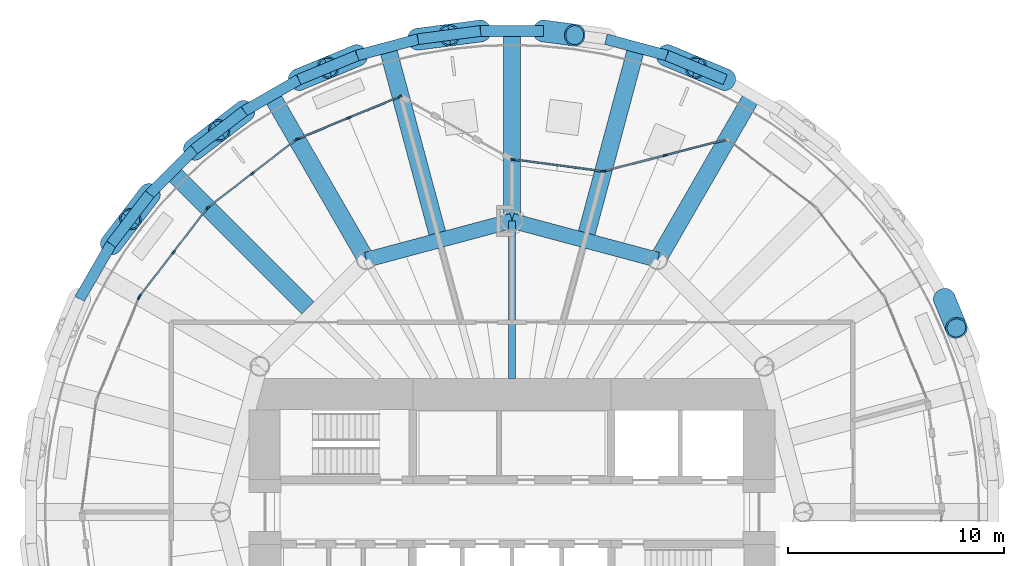
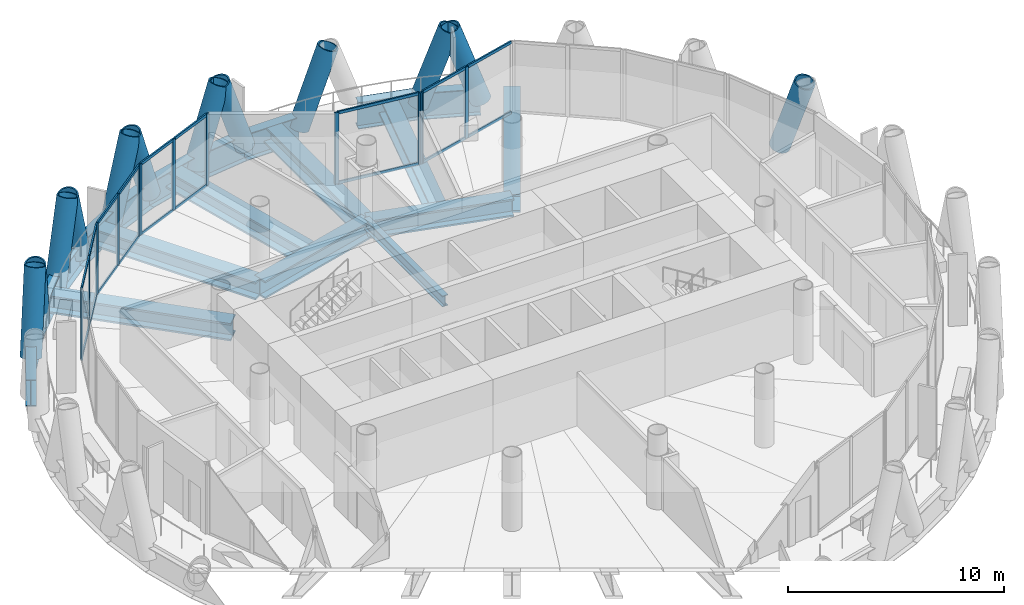
# One storey, part 5 of 14: 44 members, 20 beams, 6 elements without a shape of their own.
"""IFC4 building model written with IfcOpenShell, lengths in metres."""

from ifc_helpers import new_model, si_unit, direction, frame, origin, origin_2d, place, context, subcontext, project, spatial, rectangle, hollow_circle, i_section, extrude, material, material_profile, profile_set, type_object, element, aggregate, save


model = new_model("IFC4")

# Units and contexts
model_context = context("Model", 3, precision=1e-05, world=origin(), true_north=direction((0.0, 1.0)))
body_context = subcontext(model_context, "Body", "Model", "MODEL_VIEW")
ifc_project = project(units=[si_unit("LENGTHUNIT", "METRE"), si_unit("AREAUNIT", "SQUARE_METRE"), si_unit("VOLUMEUNIT", "CUBIC_METRE"), si_unit("PLANEANGLEUNIT", "RADIAN"), si_unit("MASSUNIT", "GRAM", prefix="KILO")], contexts=[model_context])

# Site, building, storey
site_placement = place(None, origin())
site = spatial("IfcSite", under=ifc_project, at=site_placement, CompositionType="ELEMENT")
building_placement = place(site_placement, origin())
building = spatial("IfcBuilding", under=site, at=building_placement, Name="Qaws Media Tower", CompositionType="ELEMENT")
storey_placement = place(building_placement, frame((0.0, 0.0, 248.60009765625)))
storey = spatial("IfcBuildingStorey", under=building, at=storey_placement, Name="L57", CompositionType="ELEMENT", Elevation=248.60009765625)

# Curtain wall, members
ifc_material_1 = material(Name="Aluminium and clear glass", Category="aluminium")
curtain_wall_type_1 = type_object("IfcCurtainWallType", Name="Loggia curtain wall CW-G", PredefinedType="NOTDEFINED", material=ifc_material_1)
curtain_wall_1_placement = place(storey_placement, origin())
curtain_wall_1 = element("IfcCurtainWall", 1, at=curtain_wall_1_placement, inside=storey, type_object=curtain_wall_type_1, Name="CWG curtain wall L57-05", PredefinedType="NOTDEFINED")
ifc_material_2 = material(Name="Aluminium mullion", Category="aluminium")
ifc_material_profile_1 = material_profile(ifc_material_2, rectangle(XDim=0.080078125, YDim=0.199951171875, at=origin_2d()), Name="80x200")
ifc_profile_set_1 = profile_set([ifc_material_profile_1], Name="Aluminium mullion")
member_type_1 = type_object("IfcMemberType", Name="Curtain wall mullion 80x200", PredefinedType="MULLION", material=ifc_profile_set_1)
member_1_placement = place(storey_placement, frame((67.103271484375, 66.53515625, 0.0), z_axis=(0.0, 0.0, 1.0), x_axis=(0.25022188147, -0.968188519883, 0.0)))
member_1 = element("IfcMember", 2, at=member_1_placement, type_object=member_type_1, Name="CWG mullion 2", PredefinedType="MULLION", context=body_context, shape_type="SweptSolid", body=[
    extrude(rectangle(XDim=0.080078125, YDim=0.199951171875, at=origin_2d()), origin(), (0.0, 0.0, 1.0), 4.039794921875),
])
member_2_placement = place(storey_placement, frame((64.2705078125, 65.802978515625, 0.0), z_axis=(0.0, 0.0, 1.0), x_axis=(0.25022188147, -0.968188519883, 0.0)))
member_2 = element("IfcMember", 3, at=member_2_placement, type_object=member_type_1, Name="CWG mullion 3", PredefinedType="MULLION", context=body_context, shape_type="SweptSolid", body=[
    extrude(rectangle(XDim=0.080078125, YDim=0.199951171875, at=origin_2d()), origin(), (0.0, 0.0, 1.0), 4.039794921875),
])

curtain_wall_2_placement = place(storey_placement, origin())
curtain_wall_2 = element("IfcCurtainWall", 4, at=curtain_wall_2_placement, inside=storey, type_object=curtain_wall_type_1, Name="CWG curtain wall L57-06", PredefinedType="NOTDEFINED")
member_3_placement = place(storey_placement, frame((64.192138671875, 65.798095703125, 0.0), z_axis=(0.0, 0.0, 1.0), x_axis=(-0.130526263807, -0.991444851949, 0.0)))
member_3 = element("IfcMember", 5, at=member_3_placement, type_object=member_type_1, Name="CWG mullion 1", PredefinedType="MULLION", context=body_context, shape_type="SweptSolid", body=[
    extrude(rectangle(XDim=0.080078125, YDim=0.199951171875, at=origin_2d()), origin(), (0.0, 0.0, 1.0), 4.039794921875),
])
member_4_placement = place(storey_placement, frame((60.03955078125, 66.3447265625, 0.0), z_axis=(0.0, 0.0, 1.0), x_axis=(-0.130526263807, -0.991444851949, 0.0)))
member_4 = element("IfcMember", 6, at=member_4_placement, type_object=member_type_1, Name="CWG mullion 2", PredefinedType="MULLION", context=body_context, shape_type="SweptSolid", body=[
    extrude(rectangle(XDim=0.080078125, YDim=0.199951171875, at=origin_2d()), origin(), (0.0, 0.0, 1.0), 4.039794921875),
])

ifc_material_3 = material(Name="Aluminium and clear glass", Category="aluminium")
curtain_wall_type_2 = type_object("IfcCurtainWallType", Name="Unitised curtain wall CW-C", PredefinedType="NOTDEFINED", material=ifc_material_3)
curtain_wall_3_placement = place(storey_placement, origin())
curtain_wall_3 = element("IfcCurtainWall", 7, at=curtain_wall_3_placement, inside=storey, type_object=curtain_wall_type_2, Name="CWC curtain wall L57-08", PredefinedType="NOTDEFINED")
member_5_placement = place(storey_placement, frame((54.799560546875, 69.2548828125, 0.0), z_axis=(0.0, 0.0, 1.0), x_axis=(0.382683365464, -0.923879560223, 0.0)))
member_5 = element("IfcMember", 8, at=member_5_placement, type_object=member_type_1, Name="CWC mullion 1", PredefinedType="MULLION", context=body_context, shape_type="SweptSolid", body=[
    extrude(rectangle(XDim=0.080078125, YDim=0.199951171875, at=origin_2d()), origin(), (0.0, 0.0, 1.0), 4.039794921875),
])
member_6_placement = place(storey_placement, frame((52.4306640625, 68.273681640625, 0.0), z_axis=(0.0, 0.0, 1.0), x_axis=(0.382683365464, -0.923879560223, 0.0)))
member_6 = element("IfcMember", 9, at=member_6_placement, type_object=member_type_1, Name="CWC mullion 2", PredefinedType="MULLION", context=body_context, shape_type="SweptSolid", body=[
    extrude(rectangle(XDim=0.080078125, YDim=0.199951171875, at=origin_2d()), origin(), (0.0, 0.0, 1.0), 4.039794921875),
])
member_7_placement = place(storey_placement, frame((50.06201171875, 67.29248046875, 0.0), z_axis=(0.0, 0.0, 1.0), x_axis=(0.382683365464, -0.923879560223, 0.0)))
member_7 = element("IfcMember", 10, at=member_7_placement, type_object=member_type_1, Name="CWC mullion 3", PredefinedType="MULLION", context=body_context, shape_type="SweptSolid", body=[
    extrude(rectangle(XDim=0.080078125, YDim=0.199951171875, at=origin_2d()), origin(), (0.0, 0.0, 1.0), 4.039794921875),
])

curtain_wall_4_placement = place(storey_placement, origin())
curtain_wall_4 = element("IfcCurtainWall", 11, at=curtain_wall_4_placement, inside=storey, type_object=curtain_wall_type_2, Name="CWC curtain wall L57-09", PredefinedType="NOTDEFINED")
member_8_placement = place(storey_placement, frame((49.9931640625, 67.2529296875, 0.0), z_axis=(0.0, 0.0, 1.0), x_axis=(0.608761513321, -0.793353275596, 0.0)))
member_8 = element("IfcMember", 12, at=member_8_placement, type_object=member_type_1, Name="CWC mullion 1", PredefinedType="MULLION", context=body_context, shape_type="SweptSolid", body=[
    extrude(rectangle(XDim=0.080078125, YDim=0.199951171875, at=origin_2d()), origin(), (0.0, 0.0, 1.0), 4.039794921875),
])
member_9_placement = place(storey_placement, frame((47.959228515625, 65.69189453125, 0.0), z_axis=(0.0, 0.0, 1.0), x_axis=(0.608761513321, -0.793353275596, 0.0)))
member_9 = element("IfcMember", 13, at=member_9_placement, type_object=member_type_1, Name="CWC mullion 2", PredefinedType="MULLION", context=body_context, shape_type="SweptSolid", body=[
    extrude(rectangle(XDim=0.080078125, YDim=0.199951171875, at=origin_2d()), origin(), (0.0, 0.0, 1.0), 4.039794921875),
])
member_10_placement = place(storey_placement, frame((45.925048828125, 64.131103515625, 0.0), z_axis=(0.0, 0.0, 1.0), x_axis=(0.608761513321, -0.793353275596, 0.0)))
member_10 = element("IfcMember", 14, at=member_10_placement, type_object=member_type_1, Name="CWC mullion 3", PredefinedType="MULLION", context=body_context, shape_type="SweptSolid", body=[
    extrude(rectangle(XDim=0.080078125, YDim=0.199951171875, at=origin_2d()), origin(), (0.0, 0.0, 1.0), 4.039794921875),
])

curtain_wall_5_placement = place(storey_placement, origin())
curtain_wall_5 = element("IfcCurtainWall", 15, at=curtain_wall_5_placement, inside=storey, type_object=curtain_wall_type_2, Name="CWC curtain wall L57-10", PredefinedType="NOTDEFINED")
member_11_placement = place(storey_placement, frame((45.868896484375, 64.074951171875, 0.0), z_axis=(0.0, 0.0, 1.0), x_axis=(0.793353275596, -0.608761513321, 0.0)))
member_11 = element("IfcMember", 16, at=member_11_placement, type_object=member_type_1, Name="CWC mullion 1", PredefinedType="MULLION", context=body_context, shape_type="SweptSolid", body=[
    extrude(rectangle(XDim=0.080078125, YDim=0.199951171875, at=origin_2d()), origin(), (0.0, 0.0, 1.0), 4.039794921875),
])
member_12_placement = place(storey_placement, frame((44.30810546875, 62.040771484375, 0.0), z_axis=(0.0, 0.0, 1.0), x_axis=(0.793353275596, -0.608761513321, 0.0)))
member_12 = element("IfcMember", 17, at=member_12_placement, type_object=member_type_1, Name="CWC mullion 2", PredefinedType="MULLION", context=body_context, shape_type="SweptSolid", body=[
    extrude(rectangle(XDim=0.080078125, YDim=0.199951171875, at=origin_2d()), origin(), (0.0, 0.0, 1.0), 4.039794921875),
])
member_13_placement = place(storey_placement, frame((42.7470703125, 60.0068359375, 0.0), z_axis=(0.0, 0.0, 1.0), x_axis=(0.793353275596, -0.608761513321, 0.0)))
member_13 = element("IfcMember", 18, at=member_13_placement, type_object=member_type_1, Name="CWC mullion 3", PredefinedType="MULLION", context=body_context, shape_type="SweptSolid", body=[
    extrude(rectangle(XDim=0.080078125, YDim=0.199951171875, at=origin_2d()), origin(), (0.0, 0.0, 1.0), 4.039794921875),
])

# Curtain wall, member
curtain_wall_6_placement = place(storey_placement, origin())
curtain_wall_6 = element("IfcCurtainWall", 19, at=curtain_wall_6_placement, inside=storey, type_object=curtain_wall_type_2, Name="CWC curtain wall L57-11", PredefinedType="NOTDEFINED")
member_14_placement = place(storey_placement, frame((42.70751953125, 59.93798828125, 0.0), z_axis=(0.0, 0.0, 1.0), x_axis=(0.923879560223, -0.382683365464, 0.0)))
member_14 = element("IfcMember", 20, at=member_14_placement, type_object=member_type_1, Name="CWC mullion 1", PredefinedType="MULLION", context=body_context, shape_type="SweptSolid", body=[
    extrude(rectangle(XDim=0.080078125, YDim=0.199951171875, at=origin_2d()), origin(), (0.0, 0.0, 1.0), 4.039794921875),
])
aggregate(curtain_wall_6, [member_14])

# Member
ifc_material_4 = material(Name="Aluminium transom", Category="aluminium")
ifc_material_profile_2 = material_profile(ifc_material_4, rectangle(XDim=0.080078125, YDim=0.159912109375, at=origin_2d()), Name="80x160")
ifc_profile_set_2 = profile_set([ifc_material_profile_2], Name="Aluminium transom")
member_type_2 = type_object("IfcMemberType", Name="Curtain wall transom 80x160", PredefinedType="USERDEFINED", material=ifc_profile_set_2)
member_15_placement = place(storey_placement, frame((69.8974609375, 67.257080078125, 0.039794921875), z_axis=(-0.968204970037, -0.250158221923, 0.0), x_axis=(0.250158221923, -0.968204970037, 0.0)))
member_15 = element("IfcMember", 21, at=member_15_placement, type_object=member_type_2, Name="CWG transom 1.1", ObjectType="TRANSOM", PredefinedType="USERDEFINED", context=body_context, shape_type="SweptSolid", body=[
    extrude(rectangle(XDim=0.080078125, YDim=0.159912109375, at=origin_2d()), origin(), (0.0, 0.0, 1.0), 2.845947265625),
])

member_16_placement = place(storey_placement, frame((69.8974609375, 67.257080078125, 4.0), z_axis=(-0.968204970037, -0.250158221923, 0.0), x_axis=(0.250158221923, -0.968204970037, 0.0)))
member_16 = element("IfcMember", 22, at=member_16_placement, type_object=member_type_2, Name="CWG transom 1.2", ObjectType="TRANSOM", PredefinedType="USERDEFINED", context=body_context, shape_type="SweptSolid", body=[
    extrude(rectangle(XDim=0.080078125, YDim=0.159912109375, at=origin_2d()), origin(), (0.0, 0.0, 1.0), 2.845947265625),
])

member_17_placement = place(storey_placement, frame((67.064697265625, 66.525146484375, 0.039794921875), z_axis=(-0.96818956009, -0.250217856541, 0.0), x_axis=(0.250217856541, -0.96818956009, 0.0)))
member_17 = element("IfcMember", 23, at=member_17_placement, type_object=member_type_2, Name="CWG transom 2.1", ObjectType="TRANSOM", PredefinedType="USERDEFINED", context=body_context, shape_type="SweptSolid", body=[
    extrude(rectangle(XDim=0.080078125, YDim=0.159912109375, at=origin_2d()), origin(), (0.0, 0.0, 1.0), 2.84619140625),
])

member_18_placement = place(storey_placement, frame((67.064697265625, 66.525146484375, 4.0), z_axis=(-0.96818956009, -0.250217856541, 0.0), x_axis=(0.250217856541, -0.96818956009, 0.0)))
member_18 = element("IfcMember", 24, at=member_18_placement, type_object=member_type_2, Name="CWG transom 2.2", ObjectType="TRANSOM", PredefinedType="USERDEFINED", context=body_context, shape_type="SweptSolid", body=[
    extrude(rectangle(XDim=0.080078125, YDim=0.159912109375, at=origin_2d()), origin(), (0.0, 0.0, 1.0), 2.84619140625),
])

aggregate(curtain_wall_1, [member_1, member_2, member_15, member_16, member_17, member_18])

member_19_placement = place(storey_placement, frame((64.15234375, 65.80322265625, 0.039794921875), z_axis=(-0.991439928067, 0.130563658932, 0.0), x_axis=(-0.130563658932, -0.991439928067, 0.0)))
member_19 = element("IfcMember", 25, at=member_19_placement, type_object=member_type_2, Name="CWG transom 1.1", ObjectType="TRANSOM", PredefinedType="USERDEFINED", context=body_context, shape_type="SweptSolid", body=[
    extrude(rectangle(XDim=0.080078125, YDim=0.159912109375, at=origin_2d()), origin(), (0.0, 0.0, 1.0), 4.108154296875),
])

member_20_placement = place(storey_placement, frame((64.15234375, 65.80322265625, 4.0), z_axis=(-0.991439928067, 0.130563658932, 0.0), x_axis=(-0.130563658932, -0.991439928067, 0.0)))
member_20 = element("IfcMember", 26, at=member_20_placement, type_object=member_type_2, Name="CWG transom 1.2", ObjectType="TRANSOM", PredefinedType="USERDEFINED", context=body_context, shape_type="SweptSolid", body=[
    extrude(rectangle(XDim=0.080078125, YDim=0.159912109375, at=origin_2d()), origin(), (0.0, 0.0, 1.0), 4.108154296875),
])

aggregate(curtain_wall_2, [member_3, member_4, member_19, member_20])

member_21_placement = place(storey_placement, frame((54.7626953125, 69.239501953125, 0.039794921875), z_axis=(-0.923900641139, -0.382632467655, 0.0), x_axis=(0.382632467655, -0.923900641139, 0.0)))
member_21 = element("IfcMember", 27, at=member_21_placement, type_object=member_type_2, Name="CWC transom 1.1", ObjectType="TRANSOM", PredefinedType="USERDEFINED", context=body_context, shape_type="SweptSolid", body=[
    extrude(rectangle(XDim=0.080078125, YDim=0.159912109375, at=origin_2d()), origin(), (0.0, 0.0, 1.0), 2.48388671875),
])

member_22_placement = place(storey_placement, frame((54.7626953125, 69.239501953125, 4.0), z_axis=(-0.923900641139, -0.382632467655, 0.0), x_axis=(0.382632467655, -0.923900641139, 0.0)))
member_22 = element("IfcMember", 28, at=member_22_placement, type_object=member_type_2, Name="CWC transom 1.2", ObjectType="TRANSOM", PredefinedType="USERDEFINED", context=body_context, shape_type="SweptSolid", body=[
    extrude(rectangle(XDim=0.080078125, YDim=0.159912109375, at=origin_2d()), origin(), (0.0, 0.0, 1.0), 2.48388671875),
])

member_23_placement = place(storey_placement, frame((52.393798828125, 68.25830078125, 0.039794921875), z_axis=(-0.923900641139, -0.382632467655, 0.0), x_axis=(0.382632467655, -0.923900641139, 0.0)))
member_23 = element("IfcMember", 29, at=member_23_placement, type_object=member_type_2, Name="CWC transom 2.1", ObjectType="TRANSOM", PredefinedType="USERDEFINED", context=body_context, shape_type="SweptSolid", body=[
    extrude(rectangle(XDim=0.080078125, YDim=0.159912109375, at=origin_2d()), origin(), (0.0, 0.0, 1.0), 2.48388671875),
])

member_24_placement = place(storey_placement, frame((52.393798828125, 68.25830078125, 4.0), z_axis=(-0.923900641139, -0.382632467655, 0.0), x_axis=(0.382632467655, -0.923900641139, 0.0)))
member_24 = element("IfcMember", 30, at=member_24_placement, type_object=member_type_2, Name="CWC transom 2.2", ObjectType="TRANSOM", PredefinedType="USERDEFINED", context=body_context, shape_type="SweptSolid", body=[
    extrude(rectangle(XDim=0.080078125, YDim=0.159912109375, at=origin_2d()), origin(), (0.0, 0.0, 1.0), 2.48388671875),
])

aggregate(curtain_wall_3, [member_5, member_6, member_7, member_21, member_22, member_23, member_24])

member_25_placement = place(storey_placement, frame((49.96142578125, 67.228515625, 0.039794921875), z_axis=(-0.793346858424, -0.608769876249, 0.0), x_axis=(0.608769876249, -0.793346858424, 0.0)))
member_25 = element("IfcMember", 31, at=member_25_placement, type_object=member_type_2, Name="CWC transom 1.1", ObjectType="TRANSOM", PredefinedType="USERDEFINED", context=body_context, shape_type="SweptSolid", body=[
    extrude(rectangle(XDim=0.080078125, YDim=0.159912109375, at=origin_2d()), origin(), (0.0, 0.0, 1.0), 2.484130859375),
])

member_26_placement = place(storey_placement, frame((49.96142578125, 67.228515625, 4.0), z_axis=(-0.793346858424, -0.608769876249, 0.0), x_axis=(0.608769876249, -0.793346858424, 0.0)))
member_26 = element("IfcMember", 32, at=member_26_placement, type_object=member_type_2, Name="CWC transom 1.2", ObjectType="TRANSOM", PredefinedType="USERDEFINED", context=body_context, shape_type="SweptSolid", body=[
    extrude(rectangle(XDim=0.080078125, YDim=0.159912109375, at=origin_2d()), origin(), (0.0, 0.0, 1.0), 2.484130859375),
])

member_27_placement = place(storey_placement, frame((47.927490234375, 65.667724609375, 0.039794921875), z_axis=(-0.793346858424, -0.608769876249, 0.0), x_axis=(0.608769876249, -0.793346858424, 0.0)))
member_27 = element("IfcMember", 33, at=member_27_placement, type_object=member_type_2, Name="CWC transom 2.1", ObjectType="TRANSOM", PredefinedType="USERDEFINED", context=body_context, shape_type="SweptSolid", body=[
    extrude(rectangle(XDim=0.080078125, YDim=0.159912109375, at=origin_2d()), origin(), (0.0, 0.0, 1.0), 2.484130859375),
])

member_28_placement = place(storey_placement, frame((47.927490234375, 65.667724609375, 4.0), z_axis=(-0.793346858424, -0.608769876249, 0.0), x_axis=(0.608769876249, -0.793346858424, 0.0)))
member_28 = element("IfcMember", 34, at=member_28_placement, type_object=member_type_2, Name="CWC transom 2.2", ObjectType="TRANSOM", PredefinedType="USERDEFINED", context=body_context, shape_type="SweptSolid", body=[
    extrude(rectangle(XDim=0.080078125, YDim=0.159912109375, at=origin_2d()), origin(), (0.0, 0.0, 1.0), 2.484130859375),
])

aggregate(curtain_wall_4, [member_8, member_9, member_10, member_25, member_26, member_27, member_28])

member_29_placement = place(storey_placement, frame((45.844482421875, 64.043212890625, 0.039794921875), z_axis=(-0.608769876249, -0.793346858424, 0.0), x_axis=(0.793346858424, -0.608769876249, 0.0)))
member_29 = element("IfcMember", 35, at=member_29_placement, type_object=member_type_2, Name="CWC transom 1.1", ObjectType="TRANSOM", PredefinedType="USERDEFINED", context=body_context, shape_type="SweptSolid", body=[
    extrude(rectangle(XDim=0.080078125, YDim=0.159912109375, at=origin_2d()), origin(), (0.0, 0.0, 1.0), 2.484130859375),
])

member_30_placement = place(storey_placement, frame((45.844482421875, 64.043212890625, 4.0), z_axis=(-0.608769876249, -0.793346858424, 0.0), x_axis=(0.793346858424, -0.608769876249, 0.0)))
member_30 = element("IfcMember", 36, at=member_30_placement, type_object=member_type_2, Name="CWC transom 1.2", ObjectType="TRANSOM", PredefinedType="USERDEFINED", context=body_context, shape_type="SweptSolid", body=[
    extrude(rectangle(XDim=0.080078125, YDim=0.159912109375, at=origin_2d()), origin(), (0.0, 0.0, 1.0), 2.484130859375),
])

member_31_placement = place(storey_placement, frame((44.28369140625, 62.00927734375, 0.039794921875), z_axis=(-0.608769876249, -0.793346858424, 0.0), x_axis=(0.793346858424, -0.608769876249, 0.0)))
member_31 = element("IfcMember", 37, at=member_31_placement, type_object=member_type_2, Name="CWC transom 2.1", ObjectType="TRANSOM", PredefinedType="USERDEFINED", context=body_context, shape_type="SweptSolid", body=[
    extrude(rectangle(XDim=0.080078125, YDim=0.159912109375, at=origin_2d()), origin(), (0.0, 0.0, 1.0), 2.484130859375),
])

member_32_placement = place(storey_placement, frame((44.28369140625, 62.00927734375, 4.0), z_axis=(-0.608769876249, -0.793346858424, 0.0), x_axis=(0.793346858424, -0.608769876249, 0.0)))
member_32 = element("IfcMember", 38, at=member_32_placement, type_object=member_type_2, Name="CWC transom 2.2", ObjectType="TRANSOM", PredefinedType="USERDEFINED", context=body_context, shape_type="SweptSolid", body=[
    extrude(rectangle(XDim=0.080078125, YDim=0.159912109375, at=origin_2d()), origin(), (0.0, 0.0, 1.0), 2.484130859375),
])

aggregate(curtain_wall_5, [member_11, member_12, member_13, member_29, member_30, member_31, member_32])

# Members
ifc_material_5 = material(Name="Steel S460", Category="steel")
ifc_material_profile_3 = material_profile(ifc_material_5, hollow_circle(Radius=0.508056640625, WallThickness=0.070068359375, at=origin_2d()), Name="CHS 1016x70")
ifc_profile_set_3 = profile_set([ifc_material_profile_3], Name="Steel S460")
member_type_3 = type_object("IfcMemberType", Name="Diagrid member CHS 1016x70", PredefinedType="USERDEFINED", material=ifc_profile_set_3)
for number, where, z_axis, x_axis, name in (
    (39, (80.045166015625, 59.88525390625, -0.91015625), (0.125335260643, -0.303868010364, 0.944433854072), (0.924449640149, 0.381304160517, 0.0), "DG3 diagrid L57 B03"),
    (40, (69.88525390625, 70.045166015625, -0.91015625), (-0.303868010364, 0.125335260643, 0.944433854072), (-0.381304160517, -0.924449640149, 0.0), "DG3 diagrid L57 A05"),
    (41, (67.18408203125, 71.163818359375, -0.91015625), (0.303535445165, -0.126212332869, 0.944423994062), (0.383939364973, 0.923358307497, 0.0), "DG3 diagrid L57 B06"),
    (42, (58.538330078125, 72.30224609375, -0.91015625), (-0.325826976487, -0.043425297119, 0.944431588292), (0.13210902059, -0.991235192413, 0.0), "DG3 diagrid L57 A07"),
    (43, (61.461669921875, 72.30224609375, -0.91015625), (0.325826976487, -0.043425297119, 0.944431588292), (0.13210902059, 0.991235192413, 0.0), "DG3 diagrid L57 B07"),
    (44, (52.81591796875, 71.163818359375, -0.91015625), (-0.303535445165, -0.126212332869, 0.944423994062), (0.383939364973, -0.923358307497, 0.0), "DG3 diagrid L57 A08"),
    (45, (55.6396484375, 71.920654296875, -0.91015625), (0.325988765013, 0.042381833377, 0.944423160074), (-0.128925083807, 0.991654336332, 0.0), "DG3 diagrid L57 B08"),
    (46, (47.5830078125, 68.583251953125, -0.91015625), (-0.2604988777, -0.200438651735, 0.944438818351), (0.609815690704, -0.792543262775, 0.0), "DG3 diagrid L57 A09"),
    (47, (50.11474609375, 70.045166015625, -0.91015625), (0.303868010364, 0.125335260643, 0.944433854072), (-0.381304160517, 0.924449640149, 0.0), "DG3 diagrid L57 B09"),
    (48, (43.1962890625, 64.736328125, -0.91015625), (-0.199724883041, -0.261047778686, 0.9444384725), (0.794210841026, -0.607642279632, 0.0), "DG3 diagrid L57 A10"),
    (49, (45.263671875, 66.8037109375, -0.91015625), (0.261047778686, 0.199724883041, 0.9444384725), (-0.607642279632, 0.794210841026, 0.0), "DG3 diagrid L57 B10"),
    (50, (41.416748046875, 62.4169921875, -0.91015625), (0.200438651735, 0.2604988777, 0.944438818351), (-0.792543262775, 0.609815690704, 0.0), "DG3 diagrid L57 B11"),
):
    element("IfcMember", number, at=place(storey_placement, frame(where, z_axis=z_axis, x_axis=x_axis)), inside=storey, type_object=member_type_3, Name=name, ObjectType="DIAGRID", PredefinedType="USERDEFINED", context=body_context, shape_type="SweptSolid", body=[
        extrude(hollow_circle(Radius=0.508056640625, WallThickness=0.070068359375, at=origin_2d()), origin(), (0.0, 0.0, 1.0), 4.447021484375),
    ])

# Beams
ifc_material_6 = material(Name="Steel S460", Category="steel")
ifc_material_profile_4 = material_profile(ifc_material_6, i_section(OverallWidth=0.5, OverallDepth=1.5, WebThickness=0.02001953125, FlangeThickness=0.0400390625, at=origin_2d()), Name="PG 1500x500")
ifc_profile_set_4 = profile_set([ifc_material_profile_4], Name="Steel S460")
beam_type_1 = type_object("IfcBeamType", Name="Edge ring beam PG 1500x500", PredefinedType="BEAM", material=ifc_profile_set_4)
beam_1_placement = place(storey_placement, frame((69.88525390625, 70.045166015625, -0.91015625), z_axis=(-0.923904886994, 0.382622215492, 0.0), x_axis=(-0.382622215492, -0.923904886994, 0.0)))
element("IfcBeam", 51, at=beam_1_placement, inside=storey, type_object=beam_type_1, Name="RB4 edge ring beam L57-09", PredefinedType="BEAM", context=body_context, shape_type="SweptSolid", body=[
    extrude(i_section(OverallWidth=0.5, OverallDepth=1.5, WebThickness=0.02001953125, FlangeThickness=0.0400390625, at=origin_2d()), origin(), (0.0, 0.0, 1.0), 2.923583984375),
])
for number, where, z_axis, x_axis, name in (
    (52, (67.18408203125, 71.163818359375, -0.91015625), (-0.965907040913, 0.258889142904, 0.0), (-0.258889142904, -0.965907040913, 0.0), "RB4 edge ring beam L57-10"),
    (53, (61.461669921875, 72.30224609375, -0.91015625), (-1.0, 0.0, 0.0), (0.0, -1.0, 0.0), "RB4 edge ring beam L57-12"),
):
    element("IfcBeam", number, at=place(storey_placement, frame(where, z_axis=z_axis, x_axis=x_axis)), inside=storey, type_object=beam_type_1, Name=name, PredefinedType="BEAM", context=body_context, shape_type="SweptSolid", body=[
        extrude(i_section(OverallWidth=0.5, OverallDepth=1.5, WebThickness=0.02001953125, FlangeThickness=0.0400390625, at=origin_2d()), origin(), (0.0, 0.0, 1.0), 2.92333984375),
    ])
beam_2_placement = place(storey_placement, frame((58.538330078125, 72.30224609375, -0.91015625), z_axis=(-0.991446051142, -0.130517154715, 0.0), x_axis=(0.130517154715, -0.991446051142, 0.0)))
element("IfcBeam", 54, at=beam_2_placement, inside=storey, type_object=beam_type_1, Name="RB4 edge ring beam L57-13", PredefinedType="BEAM", context=body_context, shape_type="SweptSolid", body=[
    extrude(i_section(OverallWidth=0.5, OverallDepth=1.5, WebThickness=0.02001953125, FlangeThickness=0.0400390625, at=origin_2d()), origin(), (0.0, 0.0, 1.0), 2.923583984375),
])
beam_3_placement = place(storey_placement, frame((55.6396484375, 71.920654296875, -0.91015625), z_axis=(-0.965907040913, -0.258889142904, 0.0), x_axis=(0.258889142904, -0.965907040913, 0.0)))
element("IfcBeam", 55, at=beam_3_placement, inside=storey, type_object=beam_type_1, Name="RB4 edge ring beam L57-14", PredefinedType="BEAM", context=body_context, shape_type="SweptSolid", body=[
    extrude(i_section(OverallWidth=0.5, OverallDepth=1.5, WebThickness=0.02001953125, FlangeThickness=0.0400390625, at=origin_2d()), origin(), (0.0, 0.0, 1.0), 2.92333984375),
])
for number, where, z_axis, x_axis, name in (
    (56, (52.81591796875, 71.163818359375, -0.91015625), (-0.923904886994, -0.382622215492, 0.0), (0.382622215492, -0.923904886994, 0.0), "RB4 edge ring beam L57-15"),
    (57, (50.11474609375, 70.045166015625, -0.91015625), (-0.865993663503, -0.500054971751, 0.0), (0.500054971751, -0.865993663503, 0.0), "RB4 edge ring beam L57-16"),
):
    element("IfcBeam", number, at=place(storey_placement, frame(where, z_axis=z_axis, x_axis=x_axis)), inside=storey, type_object=beam_type_1, Name=name, PredefinedType="BEAM", context=body_context, shape_type="SweptSolid", body=[
        extrude(i_section(OverallWidth=0.5, OverallDepth=1.5, WebThickness=0.02001953125, FlangeThickness=0.0400390625, at=origin_2d()), origin(), (0.0, 0.0, 1.0), 2.923583984375),
    ])
beam_4_placement = place(storey_placement, frame((47.5830078125, 68.583251953125, -0.91015625), z_axis=(-0.793377797555, -0.608729554356, 0.0), x_axis=(0.608729554356, -0.793377797555, 0.0)))
element("IfcBeam", 58, at=beam_4_placement, inside=storey, type_object=beam_type_1, Name="RB4 edge ring beam L57-17", PredefinedType="BEAM", context=body_context, shape_type="SweptSolid", body=[
    extrude(i_section(OverallWidth=0.5, OverallDepth=1.5, WebThickness=0.02001953125, FlangeThickness=0.0400390625, at=origin_2d()), origin(), (0.0, 0.0, 1.0), 2.92333984375),
])
beam_5_placement = place(storey_placement, frame((45.263671875, 66.8037109375, -0.91015625), z_axis=(-0.707106781187, -0.707106781187, 0.0), x_axis=(0.707106781187, -0.707106781187, 0.0)))
element("IfcBeam", 59, at=beam_5_placement, inside=storey, type_object=beam_type_1, Name="RB4 edge ring beam L57-18", PredefinedType="BEAM", context=body_context, shape_type="SweptSolid", body=[
    extrude(i_section(OverallWidth=0.5, OverallDepth=1.5, WebThickness=0.02001953125, FlangeThickness=0.0400390625, at=origin_2d()), origin(), (0.0, 0.0, 1.0), 2.923828125),
])
beam_6_placement = place(storey_placement, frame((43.1962890625, 64.736328125, -0.91015625), z_axis=(-0.608729554356, -0.793377797555, 0.0), x_axis=(0.793377797555, -0.608729554356, 0.0)))
element("IfcBeam", 60, at=beam_6_placement, inside=storey, type_object=beam_type_1, Name="RB4 edge ring beam L57-19", PredefinedType="BEAM", context=body_context, shape_type="SweptSolid", body=[
    extrude(i_section(OverallWidth=0.5, OverallDepth=1.5, WebThickness=0.02001953125, FlangeThickness=0.0400390625, at=origin_2d()), origin(), (0.0, 0.0, 1.0), 2.92333984375),
])
beam_7_placement = place(storey_placement, frame((41.416748046875, 62.4169921875, -0.91015625), z_axis=(-0.500054971751, -0.865993663503, 0.0), x_axis=(0.865993663503, -0.500054971751, 0.0)))
element("IfcBeam", 61, at=beam_7_placement, inside=storey, type_object=beam_type_1, Name="RB4 edge ring beam L57-20", PredefinedType="BEAM", context=body_context, shape_type="SweptSolid", body=[
    extrude(i_section(OverallWidth=0.5, OverallDepth=1.5, WebThickness=0.02001953125, FlangeThickness=0.0400390625, at=origin_2d()), origin(), (0.0, 0.0, 1.0), 2.923583984375),
])
ifc_material_7 = material(Name="Steel S460", Category="steel")
ifc_material_profile_5 = material_profile(ifc_material_7, i_section(OverallWidth=0.699951171875, OverallDepth=1.0, WebThickness=0.034912109375, FlangeThickness=0.090087890625, at=origin_2d()), Name="PG 1000x700")
ifc_profile_set_5 = profile_set([ifc_material_profile_5], Name="Steel S460")
beam_type_2 = type_object("IfcBeamType", Name="Inner ring girder PG 1000x700", PredefinedType="BEAM", material=ifc_profile_set_5)
for number, where, z_axis, x_axis, name in (
    (62, (66.75, 61.69140625, -0.66015625), (-0.965928090778, 0.258810593767, 0.0), (-0.258810593767, -0.965928090778, 0.0), "B3 inner ring beam L57 I03-I04"),
    (63, (60.0, 63.5, -0.66015625), (-0.965928090778, -0.258810593767, 0.0), (0.258810593767, -0.965928090778, 0.0), "B3 inner ring beam L57 I04-I05"),
):
    element("IfcBeam", number, at=place(storey_placement, frame(where, z_axis=z_axis, x_axis=x_axis)), inside=storey, type_object=beam_type_2, Name=name, PredefinedType="BEAM", context=body_context, shape_type="SweptSolid", body=[
        extrude(i_section(OverallWidth=0.699951171875, OverallDepth=1.0, WebThickness=0.034912109375, FlangeThickness=0.090087890625, at=origin_2d()), origin(), (0.0, 0.0, 1.0), 6.988037109375),
    ])
ifc_material_8 = material(Name="Steel S355", Category="steel")
ifc_material_profile_6 = material_profile(ifc_material_8, i_section(OverallWidth=0.304931640625, OverallDepth=0.6201171875, WebThickness=0.02099609375, FlangeThickness=0.0400390625, FilletRadius=0.027099609375, at=origin_2d()), Name="HE 600 M")
ifc_profile_set_6 = profile_set([ifc_material_profile_6], Name="Steel S355")
beam_type_3 = type_object("IfcBeamType", Name="Radial beam HE 600 M, core side", PredefinedType="BEAM", material=ifc_profile_set_6)
beam_8_placement = place(storey_placement, frame((60.0, 56.199951171875, -0.47021484375), z_axis=(0.0, 1.0, 0.0), x_axis=(-1.0, 0.0, 0.0)))
element("IfcBeam", 64, at=beam_8_placement, inside=storey, type_object=beam_type_3, Name="B2 radial beam L57 07", PredefinedType="BEAM", context=body_context, shape_type="SweptSolid", body=[
    extrude(i_section(OverallWidth=0.304931640625, OverallDepth=0.6201171875, WebThickness=0.02099609375, FlangeThickness=0.0400390625, FilletRadius=0.027099609375, at=origin_2d()), origin(), (0.0, 0.0, 1.0), 7.300048828125),
])
ifc_material_9 = material(Name="Steel S460", Category="steel")
ifc_material_profile_7 = material_profile(ifc_material_9, i_section(OverallWidth=0.800048828125, OverallDepth=1.0, WebThickness=0.0400390625, FlangeThickness=0.10009765625, at=origin_2d()), Name="PG 1000x800")
ifc_profile_set_7 = profile_set([ifc_material_profile_7], Name="Steel S460")
beam_type_4 = type_object("IfcBeamType", Name="Radial girder PG 1000x800", PredefinedType="BEAM", material=ifc_profile_set_7)
beam_9_placement = place(storey_placement, frame((66.75, 61.69140625, -0.66015625), z_axis=(0.500008165885, 0.866020689157, 0.0), x_axis=(-0.866020689157, 0.500008165885, 0.0)))
element("IfcBeam", 65, at=beam_9_placement, inside=storey, type_object=beam_type_4, Name="B1 radial beam L57 05", PredefinedType="BEAM", context=body_context, shape_type="SweptSolid", body=[
    extrude(i_section(OverallWidth=0.800048828125, OverallDepth=1.0, WebThickness=0.0400390625, FlangeThickness=0.10009765625, at=origin_2d()), origin(), (0.0, 0.0, 1.0), 8.802001953125),
])
beam_10_placement = place(storey_placement, frame((63.465576171875, 62.933837890625, -0.66015625), z_axis=(0.258821894319, 0.965925062839, 0.0), x_axis=(-0.965925062839, 0.258821894319, 0.0)))
element("IfcBeam", 66, at=beam_10_placement, inside=storey, type_object=beam_type_4, Name="B1 radial beam L57 06", PredefinedType="BEAM", context=body_context, shape_type="SweptSolid", body=[
    extrude(i_section(OverallWidth=0.800048828125, OverallDepth=1.0, WebThickness=0.0400390625, FlangeThickness=0.10009765625, at=origin_2d()), origin(), (0.0, 0.0, 1.0), 8.912109375),
])
beam_11_placement = place(storey_placement, frame((60.0, 63.5, -0.66015625), z_axis=(0.0, 1.0, 0.0), x_axis=(-1.0, 0.0, 0.0)))
element("IfcBeam", 67, at=beam_11_placement, inside=storey, type_object=beam_type_4, Name="B1 radial beam L57 07", PredefinedType="BEAM", context=body_context, shape_type="SweptSolid", body=[
    extrude(i_section(OverallWidth=0.800048828125, OverallDepth=1.0, WebThickness=0.0400390625, FlangeThickness=0.10009765625, at=origin_2d()), origin(), (0.0, 0.0, 1.0), 8.80224609375),
])
beam_12_placement = place(storey_placement, frame((56.534423828125, 62.933837890625, -0.66015625), z_axis=(-0.258821894319, 0.965925062839, 0.0), x_axis=(-0.965925062839, -0.258821894319, 0.0)))
element("IfcBeam", 68, at=beam_12_placement, inside=storey, type_object=beam_type_4, Name="B1 radial beam L57 08", PredefinedType="BEAM", context=body_context, shape_type="SweptSolid", body=[
    extrude(i_section(OverallWidth=0.800048828125, OverallDepth=1.0, WebThickness=0.0400390625, FlangeThickness=0.10009765625, at=origin_2d()), origin(), (0.0, 0.0, 1.0), 8.912109375),
])
beam_13_placement = place(storey_placement, frame((53.25, 61.69140625, -0.66015625), z_axis=(-0.500008165885, 0.866020689157, 0.0), x_axis=(-0.866020689157, -0.500008165885, 0.0)))
element("IfcBeam", 69, at=beam_13_placement, inside=storey, type_object=beam_type_4, Name="B1 radial beam L57 09", PredefinedType="BEAM", context=body_context, shape_type="SweptSolid", body=[
    extrude(i_section(OverallWidth=0.800048828125, OverallDepth=1.0, WebThickness=0.0400390625, FlangeThickness=0.10009765625, at=origin_2d()), origin(), (0.0, 0.0, 1.0), 8.802001953125),
])
beam_14_placement = place(storey_placement, frame((50.53173828125, 59.46826171875, -0.66015625), z_axis=(-0.707106781187, 0.707106781187, 0.0), x_axis=(-0.707106781187, -0.707106781187, 0.0)))
element("IfcBeam", 70, at=beam_14_placement, inside=storey, type_object=beam_type_4, Name="B1 radial beam L57 10", PredefinedType="BEAM", context=body_context, shape_type="SweptSolid", body=[
    extrude(i_section(OverallWidth=0.800048828125, OverallDepth=1.0, WebThickness=0.0400390625, FlangeThickness=0.10009765625, at=origin_2d()), origin(), (0.0, 0.0, 1.0), 8.912109375),
])

save(model, "model.ifc")
